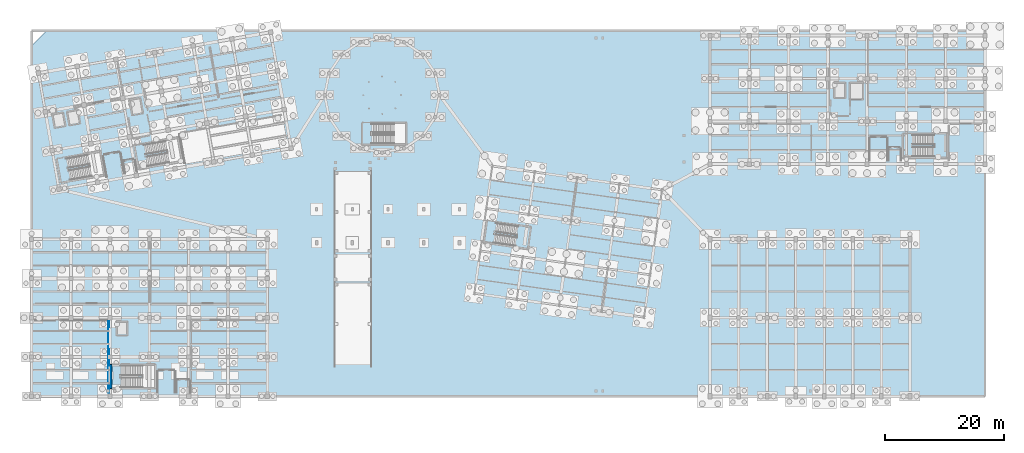
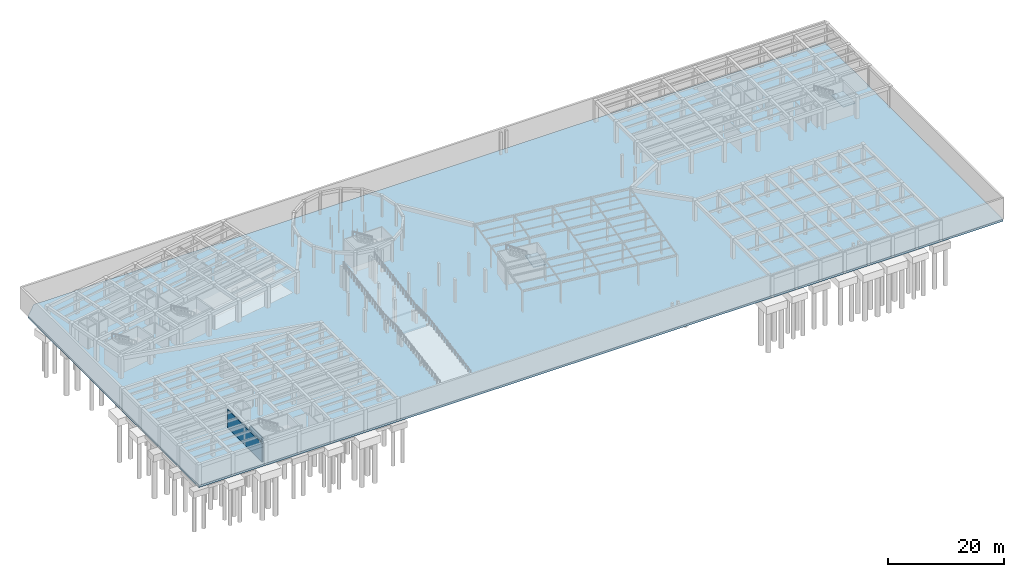
# One storey, part 21 of 34: 3 slabs, 2 walls, 2 elements without a shape of their own.
"""IFC4 building model written with IfcOpenShell, lengths in metres."""

from ifc_helpers import new_model, si_unit, direction, frame, frame_2d, origin, place, context, subcontext, project, spatial, polyline, rectangle, outline, extrude, material, layer, layer_set, type_object, element, aggregate, save


model = new_model("IFC4")

# Units and contexts
model_context = context("Model", 3, precision=1e-05, world=origin(), true_north=direction((0.0, 1.0)))
body_context = subcontext(model_context, "Body", "Model", "MODEL_VIEW")
ifc_project = project(units=[si_unit("LENGTHUNIT", "METRE"), si_unit("AREAUNIT", "SQUARE_METRE"), si_unit("VOLUMEUNIT", "CUBIC_METRE"), si_unit("PLANEANGLEUNIT", "RADIAN"), si_unit("MASSUNIT", "GRAM", prefix="KILO")], contexts=[model_context])

# Site, building, storey
site_placement = place(None, origin())
site = spatial("IfcSite", under=ifc_project, at=site_placement, CompositionType="ELEMENT")
building_placement = place(site_placement, origin())
building = spatial("IfcBuilding", under=site, at=building_placement, Name="Kharisveld Research Institute", CompositionType="ELEMENT")
storey_placement = place(building_placement, frame((0.0, 0.0, -4.800048828125)))
storey = spatial("IfcBuildingStorey", under=building, at=storey_placement, Name="B1", CompositionType="ELEMENT", Elevation=-4.800048828125)

# Slab
ifc_material_1 = material(Name="Concrete C35/45", Category="concrete")
ifc_layer_1 = layer(ifc_material_1, 0.449951171875)
ifc_layer_set_1 = layer_set([ifc_layer_1], Name="SL_BASE_450")
slab_type_1 = type_object("IfcSlabType", Name="SL_BASE_450", PredefinedType="BASESLAB", material=ifc_layer_set_1)
slab_1_placement = place(storey_placement, frame((0.0, 0.0, -0.449951171875)))
element("IfcSlab", 1, at=slab_1_placement, inside=storey, type_object=slab_type_1, Name="SLAB:B1:BASESLAB", PredefinedType="BASESLAB", context=body_context, shape_type="SweptSolid", body=[
    extrude(outline(polyline([(0.60009765625, 0.199951171875), (160.800048828125, 0.199951171875), (160.800048828125, 61.60009765625), (3.10009765625, 61.60009765625), (0.60009765625, 59.10009765625), (0.60009765625, 0.199951171875)])), origin(), (0.0, 0.0, 1.0), 0.449951171875),
])

# Stair, slab
ifc_material_2 = material(Name="Concrete C40/50", Category="concrete")
stair_type_1 = type_object("IfcStairType", Name="ST_EXIT_170", PredefinedType="TWO_STRAIGHT_RUN_STAIR", material=ifc_material_2)
stair_1_placement = place(storey_placement, origin())
stair_1 = element("IfcStair", 2, at=stair_1_placement, inside=storey, type_object=stair_type_1, Name="STR:ST3:B1", PredefinedType="TWO_STRAIGHT_RUN_STAIR")
ifc_material_3 = material(Name="Concrete C40/50", Category="concrete")
ifc_layer_2 = layer(ifc_material_3, 0.179931640625)
ifc_layer_set_2 = layer_set([ifc_layer_2], Name="SL_LND_180")
slab_type_2 = type_object("IfcSlabType", Name="SL_LND_180", PredefinedType="LANDING", material=ifc_layer_set_2)
slab_2_placement = place(storey_placement, frame((0.0, 0.0, 2.219970703125)))
slab_2 = element("IfcSlab", 3, at=slab_2_placement, type_object=slab_type_2, Name="ST-03 landing 1", PredefinedType="LANDING", context=body_context, shape_type="SweptSolid", body=[
    extrude(outline(polyline([(152.094970703125, 40.27001953125), (154.5, 40.27001953125), (154.5, 44.389892578125), (152.094970703125, 44.389892578125), (152.094970703125, 40.27001953125)])), origin(), (0.0, 0.0, 1.0), 0.18017578125),
])
aggregate(stair_1, [slab_2])

ifc_material_4 = material(Name="Concrete C40/50", Category="concrete")
stair_type_2 = type_object("IfcStairType", Name="ST_FEAT_154", PredefinedType="TWO_STRAIGHT_RUN_STAIR", material=ifc_material_4)
stair_2_placement = place(storey_placement, origin())
stair_2 = element("IfcStair", 4, at=stair_2_placement, inside=storey, type_object=stair_type_2, Name="STR:ST5:B1", PredefinedType="TWO_STRAIGHT_RUN_STAIR")
slab_3_placement = place(storey_placement, frame((0.0, 0.0, 2.219970703125)))
slab_3 = element("IfcSlab", 5, at=slab_3_placement, type_object=slab_type_2, Name="ST-05 landing 1", PredefinedType="LANDING", context=body_context, shape_type="SweptSolid", body=[
    extrude(outline(polyline([(81.70556640625, 25.26220703125), (84.022705078125, 24.9365234375), (84.5517578125, 28.69970703125), (82.234375, 29.025390625), (81.70556640625, 25.26220703125)])), origin(), (0.0, 0.0, 1.0), 0.18017578125),
])
aggregate(stair_2, [slab_3])

# Walls
ifc_material_5 = material(Name="Concrete C40/50", Category="concrete")
ifc_layer_3 = layer(ifc_material_5, 0.27001953125)
ifc_layer_set_3 = layer_set([ifc_layer_3], Name="WL_CORE_270")
wall_type_1 = type_object("IfcWallType", Name="WL_CORE_270", PredefinedType="SHEAR", material=ifc_layer_set_3)
wall_1_placement = place(storey_placement, frame((13.949951171875, 1.5, 0.0), z_axis=(0.0, 0.0, 1.0), x_axis=(0.0, 1.0, 0.0)))
element("IfcWall", 6, at=wall_1_placement, inside=storey, type_object=wall_type_1, Name="WL:STR:ST4:B1:W", PredefinedType="SHEAR", context=body_context, shape_type="SweptSolid", body=[
    extrude(rectangle(XDim=4.06005859375, YDim=0.27001953125, at=frame_2d((2.030029296875, 0.0))), origin(), (0.0, 0.0, 1.0), 4.580078125),
])
ifc_material_6 = material(Name="Acoustic Drywall Partition", Category="mineral")
ifc_layer_4 = layer(ifc_material_6, 0.1650390625)
ifc_layer_set_4 = layer_set([ifc_layer_4], Name="WL_LAB_165")
wall_type_2 = type_object("IfcWallType", Name="WL_LAB_165", PredefinedType="PARTITIONING", material=ifc_layer_set_4)
wall_2_placement = place(storey_placement, frame((13.60009765625, 0.820068359375, 0.0), z_axis=(0.0, 0.0, 1.0), x_axis=(0.0, 1.0, 0.0)))
element("IfcWall", 7, at=wall_2_placement, inside=storey, type_object=wall_type_2, Name="WL:RM:V3:B1:MET:E", PredefinedType="PARTITIONING", context=body_context, shape_type="SweptSolid", body=[
    extrude(rectangle(XDim=11.9599609375, YDim=0.1650390625, at=frame_2d((5.97998046875, 0.0))), origin(), (0.0, 0.0, 1.0), 3.93505859375),
])

save(model, "model.ifc")
